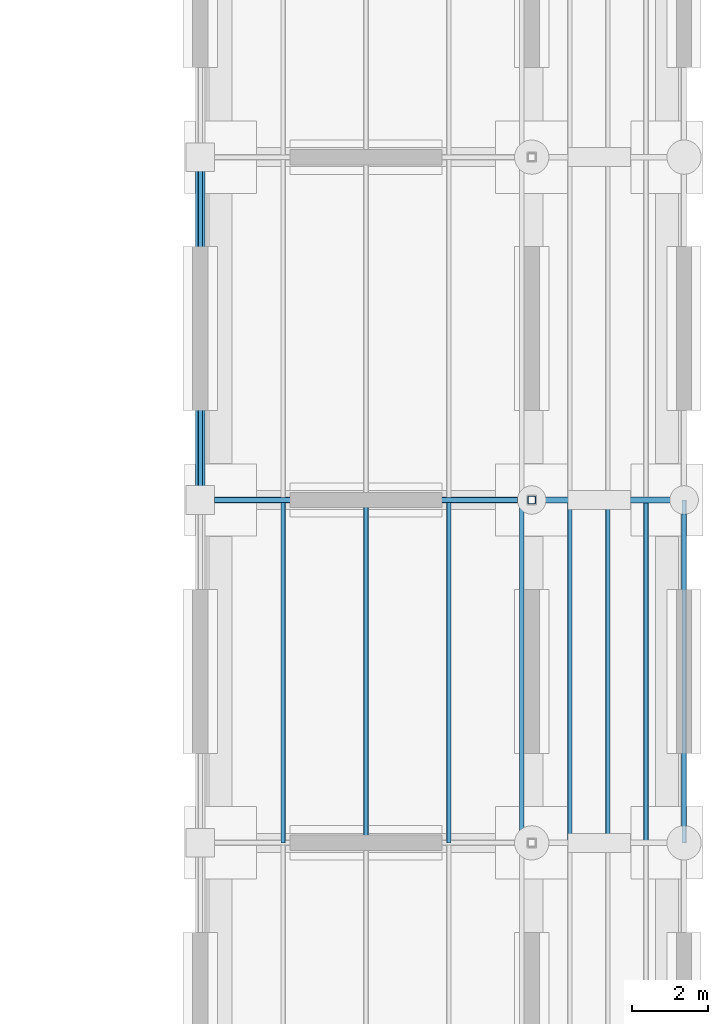
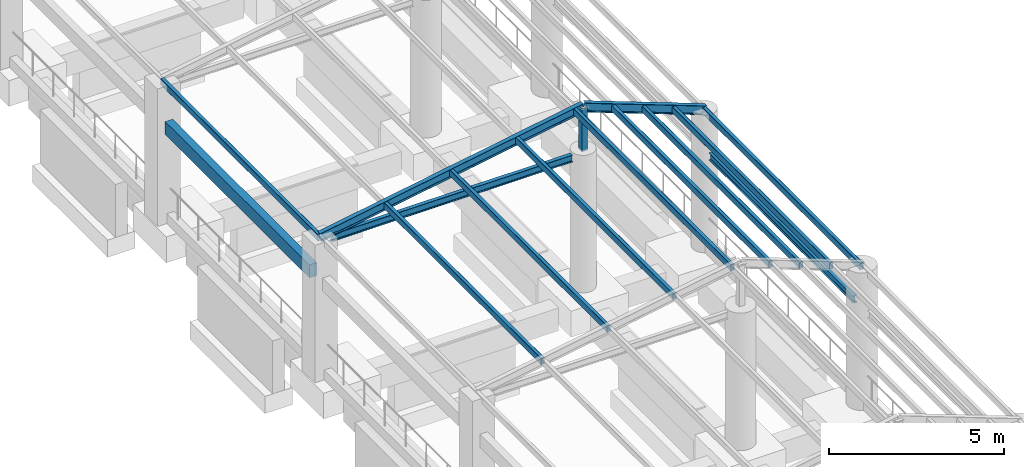
# One storey, part 60 of 111: 12 members, 3 beams.
"""IFC4 building model written with IfcOpenShell, lengths in metres."""

from ifc_helpers import new_model, si_unit, direction, frame, origin, origin_2d, place, context, subcontext, project, spatial, rectangle, hollow_rectangle, i_section, extrude, material, material_profile, profile_set, type_object, element, save


model = new_model("IFC4")

# Units and contexts
model_context = context("Model", 3, precision=1e-05, world=origin(), true_north=direction((0.0, 1.0)))
body_context = subcontext(model_context, "Body", "Model", "MODEL_VIEW")
ifc_project = project(units=[si_unit("LENGTHUNIT", "METRE"), si_unit("AREAUNIT", "SQUARE_METRE"), si_unit("VOLUMEUNIT", "CUBIC_METRE"), si_unit("PLANEANGLEUNIT", "RADIAN"), si_unit("MASSUNIT", "GRAM", prefix="KILO")], contexts=[model_context])

# Site, building, storey
site_placement = place(None, origin())
site = spatial("IfcSite", under=ifc_project, at=site_placement, CompositionType="ELEMENT")
building_placement = place(site_placement, origin())
building = spatial("IfcBuilding", under=site, at=building_placement, Name="Canglan Escarpment Cableway Terminal", CompositionType="ELEMENT")
storey_placement = place(building_placement, frame((0.0, 0.0, 4.800048828125)))
storey = spatial("IfcBuildingStorey", under=building, at=storey_placement, Name="L01", CompositionType="ELEMENT", Elevation=4.800048828125)

# Beams
ifc_material_1 = material(Name="Steel Q355B", Category="steel")
ifc_material_profile_1 = material_profile(ifc_material_1, i_section(OverallWidth=0.125, OverallDepth=0.25, WebThickness=0.006103515625, FlangeThickness=0.009033203125, FilletRadius=0.011962890625, at=origin_2d()), Name="HN 250x125x6x9")
ifc_profile_set_1 = profile_set([ifc_material_profile_1], Name="Steel Q355B")
beam_type_1 = type_object("IfcBeamType", Name="BM-CANOPY-HN250", PredefinedType="BEAM", material=ifc_profile_set_1)
beam_1_placement = place(storey_placement, frame((167.675048828125, 70.0, 4.599853515625), z_axis=(1.0, 0.0, 0.0), x_axis=(0.0, 1.0, 0.0)))
element("IfcBeam", 1, at=beam_1_placement, inside=storey, type_object=beam_type_1, Name="Colonnade tie beam RF-B3", PredefinedType="BEAM", context=body_context, shape_type="SweptSolid", body=[
    extrude(i_section(OverallWidth=0.125, OverallDepth=0.25, WebThickness=0.006103515625, FlangeThickness=0.009033203125, FilletRadius=0.011962890625, at=origin_2d()), origin(), (0.0, 0.0, 1.0), 7.949951171875),
])
ifc_material_profile_2 = material_profile(ifc_material_1, i_section(OverallWidth=0.125, OverallDepth=0.25, WebThickness=0.006103515625, FlangeThickness=0.009033203125, FilletRadius=0.011962890625, at=origin_2d()), Name="HN 250x125x6x9")
ifc_profile_set_2 = profile_set([ifc_material_profile_2], Name="Steel Q355B")
beam_type_2 = type_object("IfcBeamType", Name="LN-HN250", PredefinedType="LINTEL", material=ifc_profile_set_2)
beam_2_placement = place(storey_placement, frame((180.0, 61.3701171875, 3.349853515625), z_axis=(0.0, 1.0, 0.0), x_axis=(-1.0, 0.0, 0.0)))
element("IfcBeam", 2, at=beam_2_placement, inside=storey, type_object=beam_type_2, Name="Classical colonnade architrave lintel beam", PredefinedType="LINTEL", context=body_context, shape_type="SweptSolid", body=[
    extrude(i_section(OverallWidth=0.125, OverallDepth=0.25, WebThickness=0.006103515625, FlangeThickness=0.009033203125, FilletRadius=0.011962890625, at=origin_2d()), origin(), (0.0, 0.0, 1.0), 8.259765625),
])
ifc_material_2 = material(Name="Concrete C40", Category="concrete")
ifc_material_profile_3 = material_profile(ifc_material_2, rectangle(XDim=0.25, YDim=0.449951171875, at=origin_2d()), Name="RC 250x450")
ifc_profile_set_3 = profile_set([ifc_material_profile_3], Name="Concrete C40")
beam_type_3 = type_object("IfcBeamType", Name="LN-RC250x450", PredefinedType="LINTEL", material=ifc_profile_set_3)
beam_3_placement = place(storey_placement, frame((167.300048828125, 70.3701171875, 3.349853515625), z_axis=(0.0, 1.0, 0.0), x_axis=(-1.0, 0.0, 0.0)))
element("IfcBeam", 3, at=beam_3_placement, inside=storey, type_object=beam_type_3, Name="Classical colonnade architrave lintel beam", PredefinedType="LINTEL", context=body_context, shape_type="SweptSolid", body=[
    extrude(rectangle(XDim=0.25, YDim=0.449951171875, at=origin_2d()), origin(), (0.0, 0.0, 1.0), 8.259765625),
])

# Members
ifc_material_profile_4 = material_profile(ifc_material_1, i_section(OverallWidth=0.14990234375, OverallDepth=0.300048828125, WebThickness=0.006591796875, FlangeThickness=0.009033203125, FilletRadius=0.012939453125, at=origin_2d()), Name="HN 300x150x6.5x9")
ifc_profile_set_4 = profile_set([ifc_material_profile_4], Name="Steel Q355B")
member_type_1 = type_object("IfcMemberType", Name="MB-COL-RAFT-HN300", PredefinedType="RAFTER", material=ifc_profile_set_4)
member_1_placement = place(storey_placement, frame((167.300048828125, 70.0, 4.75), z_axis=(0.985459956077, 0.0, 0.169907842574), x_axis=(0.0, 1.0, 0.0)))
element("IfcMember", 4, at=member_1_placement, inside=storey, type_object=member_type_1, Name="Colonnade pitched rafter RF-R01", PredefinedType="RAFTER", context=body_context, shape_type="SweptSolid", body=[
    extrude(i_section(OverallWidth=0.14990234375, OverallDepth=0.300048828125, WebThickness=0.006591796875, FlangeThickness=0.009033203125, FilletRadius=0.012939453125, at=origin_2d()), origin(), (0.0, 0.0, 1.0), 8.828369140625),
])
member_2_placement = place(storey_placement, frame((176.0, 70.0, 6.25), z_axis=(0.936329177569, 0.0, -0.351123441588), x_axis=(0.0, 1.0, 0.0)))
element("IfcMember", 5, at=member_2_placement, inside=storey, type_object=member_type_1, Name="Colonnade pitched rafter RF-R01", PredefinedType="RAFTER", context=body_context, shape_type="SweptSolid", body=[
    extrude(i_section(OverallWidth=0.14990234375, OverallDepth=0.300048828125, WebThickness=0.006591796875, FlangeThickness=0.009033203125, FilletRadius=0.012939453125, at=origin_2d()), origin(), (0.0, 0.0, 1.0), 4.27197265625),
])
ifc_material_profile_5 = material_profile(ifc_material_1, hollow_rectangle(XDim=0.1201171875, YDim=0.219970703125, WallThickness=0.006103515625, InnerFilletRadius=0.006103515625, OuterFilletRadius=0.011962890625, at=origin_2d()), Name="RHS 220x120x6")
ifc_profile_set_5 = profile_set([ifc_material_profile_5], Name="Steel Q355B")
member_type_2 = type_object("IfcMemberType", Name="MB-PAV-PUR-RHS220", PredefinedType="PURLIN", material=ifc_profile_set_5)
for number, where, z_axis, x_axis, name in (
    (6, (167.300048828125, 70.0, 4.719970703125), (0.0, 1.0, 0.0), (-1.0, 0.0, 0.0), "Colonnade canopy purlin PR-03"),
    (7, (169.47509765625, 61.0, 5.094970703125), (0.0, 1.0, 0.0), (-1.0, 0.0, 0.0), "Colonnade canopy purlin PR-03"),
    (8, (171.64990234375, 61.0, 5.469970703125), (0.0, 1.0, 0.0), (-1.0, 0.0, 0.0), "Colonnade canopy purlin PR-03"),
    (9, (173.824951171875, 61.0, 5.844970703125), (0.0, 1.0, 0.0), (-1.0, 0.0, 0.0), "Colonnade canopy purlin PR-03"),
    (10, (175.739013671875, 61.0, 6.175048828125), (0.0, 1.0, 0.0), (-1.0, 0.0, 0.0), "Colonnade canopy purlin PR-03"),
    (11, (177.0, 61.0, 5.844970703125), (0.0, 1.0, 0.0), (-1.0, 0.0, 0.0), "Colonnade canopy purlin PR-03"),
    (12, (178.0, 61.0, 5.469970703125), (0.0, 1.0, 0.0), (-1.0, 0.0, 0.0), "Colonnade canopy purlin PR-03"),
    (13, (179.0, 61.0, 5.094970703125), (0.0, 1.0, 0.0), (-1.0, 0.0, 0.0), "Colonnade canopy purlin PR-03"),
    (14, (180.0, 61.0, 4.719970703125), (0.0, 1.0, 0.0), (-1.0, 0.0, 0.0), "Colonnade canopy purlin PR-03"),
):
    element("IfcMember", number, at=place(storey_placement, frame(where, z_axis=z_axis, x_axis=x_axis)), inside=storey, type_object=member_type_2, Name=name, PredefinedType="PURLIN", context=body_context, shape_type="SweptSolid", body=[
        extrude(hollow_rectangle(XDim=0.1201171875, YDim=0.219970703125, WallThickness=0.006103515625, InnerFilletRadius=0.006103515625, OuterFilletRadius=0.011962890625, at=origin_2d()), origin(), (0.0, 0.0, 1.0), 9.0),
    ])
ifc_material_profile_6 = material_profile(ifc_material_1, hollow_rectangle(XDim=0.199951171875, YDim=0.199951171875, WallThickness=0.008056640625, InnerFilletRadius=0.008056640625, OuterFilletRadius=0.01611328125, at=origin_2d()), Name="SHS 200x200x8")
ifc_profile_set_6 = profile_set([ifc_material_profile_6], Name="Steel Q355B")
member_type_3 = type_object("IfcMemberType", Name="MB-PRATT-WEB-SHS200", PredefinedType="BRACE", material=ifc_profile_set_6)
member_3_placement = place(storey_placement, frame((176.0, 70.0, 4.75), z_axis=(0.0, 0.0, 1.0), x_axis=(1.0, 0.0, 0.0)))
element("IfcMember", 15, at=member_3_placement, inside=storey, type_object=member_type_3, Name="Colonnade ridge ROOF TRUSS strut PT-WB1", PredefinedType="BRACE", context=body_context, shape_type="SweptSolid", body=[
    extrude(hollow_rectangle(XDim=0.199951171875, YDim=0.199951171875, WallThickness=0.008056640625, InnerFilletRadius=0.008056640625, OuterFilletRadius=0.01611328125, at=origin_2d()), origin(), (0.0, 0.0, 1.0), 1.5),
])

save(model, "model.ifc")
